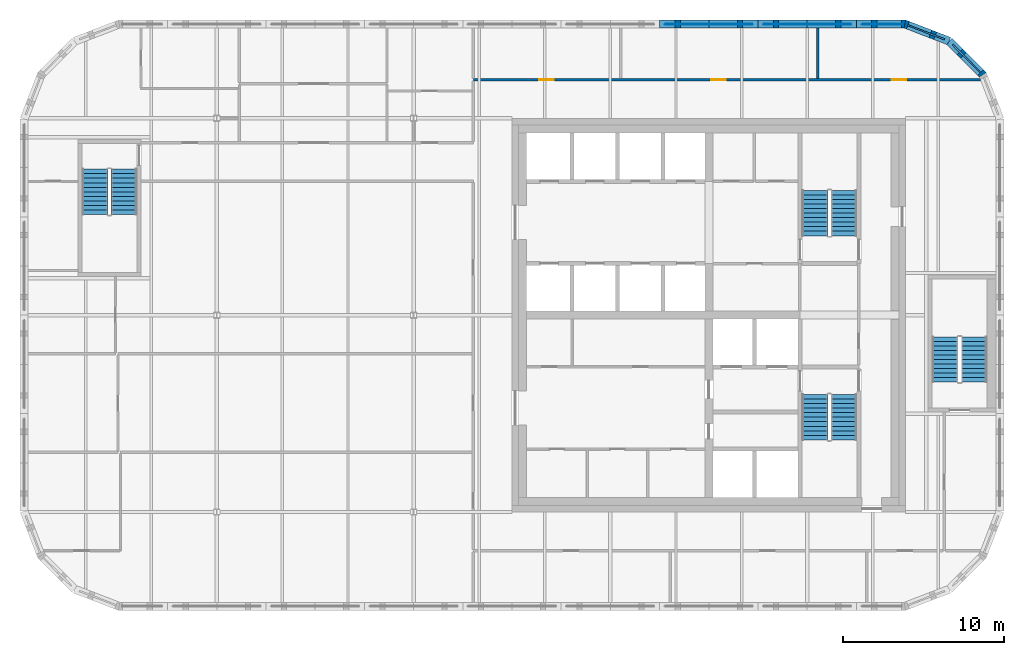
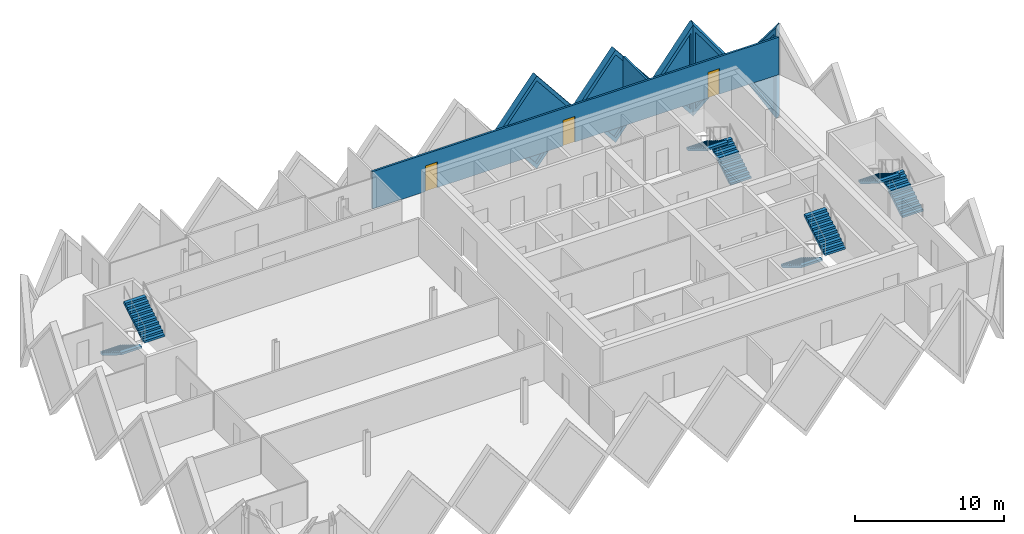
# One storey, part 9 of 10: 8 stair flights, 7 walls, 5 plates, 3 doors, 8 openings, 4 elements without a shape of their own.
"""IFC4 building model written with IfcOpenShell, lengths in metres."""

from ifc_helpers import new_model, si_unit, direction, frame, frame_2d, origin, place, context, subcontext, project, spatial, polyline, rectangle, outline, extrude, faceted_brep, source, transform, mapped, material, layer, layer_set, type_object, element, fill, aggregate, save


model = new_model("IFC4")

# Units and contexts
model_context = context("Model", 3, precision=1e-05, world=origin(), true_north=direction((0.0, 1.0)))
body_context = subcontext(model_context, "Body", "Model", "MODEL_VIEW")
ifc_project = project(units=[si_unit("LENGTHUNIT", "METRE"), si_unit("AREAUNIT", "SQUARE_METRE"), si_unit("VOLUMEUNIT", "CUBIC_METRE"), si_unit("PLANEANGLEUNIT", "RADIAN"), si_unit("MASSUNIT", "GRAM", prefix="KILO")], contexts=[model_context])

# Site, building, storey
site_placement = place(None, origin())
site = spatial("IfcSite", under=ifc_project, at=site_placement, CompositionType="ELEMENT")
building_placement = place(site_placement, origin())
building = spatial("IfcBuilding", under=site, at=building_placement, Name="Tessera Gate Towers", CompositionType="ELEMENT")
storey_placement = place(building_placement, frame((0.0, 0.0, 244.5)))
storey = spatial("IfcBuildingStorey", under=building, at=storey_placement, Name="L61", CompositionType="ELEMENT", Elevation=244.5)

# Wall, openings, doors
ifc_material_1 = material(Name="Gypsum board on steel studs, mineral wool", Category="steel")
ifc_layer_1 = layer(ifc_material_1, 0.14990234375)
ifc_layer_set_1 = layer_set([ifc_layer_1], Name="CORRIDOR WALL 150")
wall_type_1 = type_object("IfcWallType", Name="CORRIDOR WALL 150", PredefinedType="PARTITIONING", material=ifc_layer_set_1)
wall_1_placement = place(storey_placement, frame((28.10009765625, 51.199951171875, 0.0), z_axis=(0.0, 0.0, 1.0), x_axis=(1.0, 0.0, 0.0)))
wall_1 = element("IfcWall", 1, at=wall_1_placement, inside=storey, type_object=wall_type_1, Name="T1-L61-PW-033", PredefinedType="PARTITIONING", context=body_context, shape_type="SweptSolid", body=[
    extrude(rectangle(XDim=31.438232421875, YDim=0.14990234375, at=frame_2d((15.71923828125, 0.0))), origin(), (0.0, 0.0, 1.0), 3.06689453125),
])
shared_shape_1 = source(origin(), body_context, "Body", "SweptSolid", [
    extrude(rectangle(XDim=0.89990234375, YDim=2.10009765625, at=frame_2d((0.449951171875, 1.050048828125))), frame((0.0, 0.0849609375, 0.0), z_axis=(0.0, -1.0, 0.0), x_axis=(1.0, 0.0, 0.0)), (0.0, 0.0, 1.0), 0.169921875),
])
opening_1_placement = place(wall_1_placement, frame((4.10009765625, 0.0, 0.0)))
opening_1 = element("IfcOpeningElement", 2, at=opening_1_placement, cuts=wall_1, Name="Opening D890FD60-A21-07", PredefinedType="OPENING", context=body_context, shape_type="MappedRepresentation", body=[
    mapped(shared_shape_1, transform((0.0, 0.0, 0.0), scale=1.0)),
])
opening_2_placement = place(wall_1_placement, frame((25.950927734375, 0.0, 0.0)))
opening_2 = element("IfcOpeningElement", 3, at=opening_2_placement, cuts=wall_1, Name="Opening D890FD60-A21-08", PredefinedType="OPENING", context=body_context, shape_type="MappedRepresentation", body=[
    mapped(shared_shape_1, transform((0.0, 0.0, 0.0), scale=1.0)),
])
opening_3_placement = place(wall_1_placement, frame((14.75, 0.0, 0.0)))
opening_3 = element("IfcOpeningElement", 4, at=opening_3_placement, cuts=wall_1, Name="Opening D890FD60-A21-11", PredefinedType="OPENING", context=body_context, shape_type="MappedRepresentation", body=[
    mapped(shared_shape_1, transform((0.0, 0.0, 0.0), scale=1.0)),
])
ifc_material_2 = material(Name="Timber door leaf in steel frame", Category="steel")
door_type = type_object("IfcDoorType", Name="CORRIDOR DOOR 900 FD60", OperationType="NOTDEFINED", PredefinedType="DOOR", material=ifc_material_2)
shared_shape_2 = source(origin(), body_context, "Body", "SweptSolid", [
    extrude(rectangle(XDim=0.89990234375, YDim=2.10009765625, at=frame_2d((0.449951171875, 1.050048828125))), frame((0.0, 0.02490234375, 0.0), z_axis=(0.0, -1.0, 0.0), x_axis=(1.0, 0.0, 0.0)), (0.0, 0.0, 1.0), 0.050048828125),
])
door_1_placement = place(opening_1_placement, origin())
door_1 = element("IfcDoor", 5, at=door_1_placement, inside=storey, type_object=door_type, Name="T1-L61-PD-011", OperationType="SINGLE_SWING_LEFT", OverallHeight=2.10009765625, OverallWidth=0.89990234375, PredefinedType="DOOR", context=body_context, shape_type="MappedRepresentation", body=[
    mapped(shared_shape_2, transform((0.0, 0.0, 0.0), scale=1.0)),
])
fill(opening_1, door_1)
door_2_placement = place(opening_2_placement, origin())
door_2 = element("IfcDoor", 6, at=door_2_placement, inside=storey, type_object=door_type, Name="T1-L61-PD-015", OperationType="SINGLE_SWING_LEFT", OverallHeight=2.10009765625, OverallWidth=0.89990234375, PredefinedType="DOOR", context=body_context, shape_type="MappedRepresentation", body=[
    mapped(shared_shape_2, transform((0.0, 0.0, 0.0), scale=1.0)),
])
fill(opening_2, door_2)
door_3_placement = place(opening_3_placement, origin())
door_3 = element("IfcDoor", 7, at=door_3_placement, inside=storey, type_object=door_type, Name="T1-L61-PD-019", OperationType="SINGLE_SWING_LEFT", OverallHeight=2.10009765625, OverallWidth=0.89990234375, PredefinedType="DOOR", context=body_context, shape_type="MappedRepresentation", body=[
    mapped(shared_shape_2, transform((0.0, 0.0, 0.0), scale=1.0)),
])
fill(opening_3, door_3)

# Wall
ifc_material_3 = material(Name="Gypsum board on steel studs, mineral wool", Category="steel")
ifc_layer_2 = layer(ifc_material_3, 0.14990234375)
ifc_layer_set_2 = layer_set([ifc_layer_2], Name="TENANCY WALL 150")
wall_type_2 = type_object("IfcWallType", Name="TENANCY WALL 150", PredefinedType="PARTITIONING", material=ifc_layer_set_2)
wall_2_placement = place(storey_placement, frame((49.449951171875, 51.27587890625, 0.0), z_axis=(0.0, 0.0, 1.0), x_axis=(0.0, 1.0, 0.0)))
element("IfcWall", 8, at=wall_2_placement, inside=storey, type_object=wall_type_2, Name="T1-L61-PW-036", PredefinedType="PARTITIONING", context=body_context, shape_type="SweptSolid", body=[
    extrude(rectangle(XDim=3.1240234375, YDim=0.14990234375, at=frame_2d((1.56201171875, 0.0))), origin(), (0.0, 0.0, 1.0), 3.06689453125),
])

# Wall, opening, plate
ifc_material_4 = material(Name="Precast concrete C60/75 white", Category="concrete")
ifc_layer_3 = layer(ifc_material_4, 0.5)
ifc_layer_set_3 = layer_set([ifc_layer_3], Name="TS1 tessera")
wall_type_3 = type_object("IfcWallType", Name="TS1 tessera", PredefinedType="SOLIDWALL", material=ifc_layer_set_3)
shared_shape_3 = source(origin(), body_context, "Body", "SweptSolid", [
    extrude(outline(polyline([(3.050048828125, 0.0), (6.10009765625, 3.800048828125), (3.050048828125, 7.60009765625), (0.0, 3.800048828125), (3.050048828125, 0.0)])), frame((0.0, 0.25, 0.0), z_axis=(0.0, -1.0, 0.0), x_axis=(1.0, 0.0, 0.0)), (0.0, 0.0, 1.0), 0.5),
])
wall_3_placement = place(storey_placement, frame((51.85009765625, 54.64990234375, -3.800048828125), z_axis=(0.0, 0.0, 1.0), x_axis=(-1.0, 0.0, 0.0)))
wall_3 = element("IfcWall", 9, at=wall_3_placement, inside=storey, type_object=wall_type_3, Name="Precast tessera T1 TS1-1068", PredefinedType="SOLIDWALL", context=body_context, shape_type="MappedRepresentation", body=[
    mapped(shared_shape_3, transform((0.0, 0.0, 0.0), scale=1.0)),
])
shared_shape_4 = source(origin(), body_context, "Body", "SweptSolid", [
    extrude(outline(polyline([(3.050048828125, 0.3994140625), (5.779541015625, 3.800048828125), (3.050048828125, 7.20068359375), (0.320556640625, 3.800048828125), (3.050048828125, 0.3994140625)])), frame((0.0, 0.260009765625, 0.0), z_axis=(0.0, -1.0, 0.0), x_axis=(1.0, 0.0, 0.0)), (0.0, 0.0, 1.0), 0.52001953125),
])
opening_4_placement = place(wall_3_placement, origin())
opening_4 = element("IfcOpeningElement", 10, at=opening_4_placement, cuts=wall_3, Name="Opening T1-PL2-2178", PredefinedType="OPENING", context=body_context, shape_type="MappedRepresentation", body=[
    mapped(shared_shape_4, transform((0.0, 0.0, 0.0), scale=1.0)),
])
ifc_material_5 = material(Name="Low-e laminated glass", Category="glass")
ifc_layer_4 = layer(ifc_material_5, 0.06005859375)
ifc_layer_set_4 = layer_set([ifc_layer_4], Name="PL2 rhombic pane")
plate_type = type_object("IfcPlateType", Name="PL2 rhombic pane", PredefinedType="SHEET", material=ifc_layer_set_4)
shared_shape_5 = source(origin(), body_context, "Body", "SweptSolid", [
    extrude(outline(polyline([(3.050048828125, 0.3994140625), (5.779541015625, 3.800048828125), (3.050048828125, 7.20068359375), (0.320556640625, 3.800048828125), (3.050048828125, 0.3994140625)])), frame((0.0, 0.030029296875, 0.0), z_axis=(0.0, -1.0, 0.0), x_axis=(1.0, 0.0, 0.0)), (0.0, 0.0, 1.0), 0.06005859375),
])
plate_1_placement = place(opening_4_placement, origin())
plate_1 = element("IfcPlate", 11, at=plate_1_placement, inside=storey, type_object=plate_type, Name="Glass pane T1 PL2-2178", PredefinedType="SHEET", context=body_context, shape_type="MappedRepresentation", body=[
    mapped(shared_shape_5, transform((0.0, 0.0, 0.0), scale=1.0)),
])
fill(opening_4, plate_1)

wall_4_placement = place(storey_placement, frame((45.75, 54.64990234375, -3.800048828125), z_axis=(0.0, 0.0, 1.0), x_axis=(-1.0, 0.0, 0.0)))
wall_4 = element("IfcWall", 12, at=wall_4_placement, inside=storey, type_object=wall_type_3, Name="Precast tessera T1 TS1-1069", PredefinedType="SOLIDWALL", context=body_context, shape_type="MappedRepresentation", body=[
    mapped(shared_shape_3, transform((0.0, 0.0, 0.0), scale=1.0)),
])
opening_5_placement = place(wall_4_placement, origin())
opening_5 = element("IfcOpeningElement", 13, at=opening_5_placement, cuts=wall_4, Name="Opening T1-PL2-2179", PredefinedType="OPENING", context=body_context, shape_type="MappedRepresentation", body=[
    mapped(shared_shape_4, transform((0.0, 0.0, 0.0), scale=1.0)),
])
plate_2_placement = place(opening_5_placement, origin())
plate_2 = element("IfcPlate", 14, at=plate_2_placement, inside=storey, type_object=plate_type, Name="Glass pane T1 PL2-2179", PredefinedType="SHEET", context=body_context, shape_type="MappedRepresentation", body=[
    mapped(shared_shape_5, transform((0.0, 0.0, 0.0), scale=1.0)),
])
fill(opening_5, plate_2)

ifc_material_6 = material(Name="Precast concrete C60/75 white", Category="concrete")
ifc_layer_5 = layer(ifc_material_6, 0.5)
ifc_layer_set_5 = layer_set([ifc_layer_5], Name="TS3 corner tessera")
wall_type_4 = type_object("IfcWallType", Name="TS3 corner tessera", PredefinedType="SOLIDWALL", material=ifc_layer_set_5)
shared_shape_6 = source(origin(), body_context, "Body", "Brep", [
    faceted_brep([(2.950439453125, -0.25, 0.0), (2.9970703125, -0.25, 0.05908203125), (2.9970703125, -0.25, 7.541015625), (2.950439453125, -0.25, 7.60009765625), (0.0, -0.25, 3.800048828125), (0.052978515625, 0.25, 3.8681640625), (2.904052734375, 0.25, 7.540283203125), (2.904052734375, 0.25, 0.059814453125), (0.052978515625, 0.25, 3.73193359375), (2.950439453125, 0.00048828125, 0.0), (2.950439453125, 0.00048828125, 7.60009765625), (0.0, 0.0, 3.800048828125)], [[[0, 1, 2, 3, 4]], [[5, 6, 7, 8]], [[1, 0, 9]], [[10, 3, 2]], [[6, 5, 11, 4, 3, 10]], [[8, 7, 9, 0, 4, 11]], [[8, 11, 5]], [[1, 9, 7, 6, 10, 2]]]),
])
wall_5_placement = place(storey_placement, frame((57.606201171875, 53.588134765625, -3.800048828125), z_axis=(0.0, 0.0, 1.0), x_axis=(-0.932990326376, 0.359901446078, 0.0)))
wall_5 = element("IfcWall", 15, at=wall_5_placement, inside=storey, type_object=wall_type_4, Name="Precast corner tessera T1 TS3-1409", PredefinedType="SOLIDWALL", context=body_context, shape_type="MappedRepresentation", body=[
    mapped(shared_shape_6, transform((0.0, 0.0, 0.0), scale=1.0)),
])
shared_shape_7 = source(origin(), body_context, "Body", "SweptSolid", [
    extrude(outline(polyline([(2.75048828125, 6.934814453125), (0.31640625, 3.800048828125), (2.75048828125, 0.665283203125), (2.75048828125, 6.934814453125)])), frame((0.0, 0.260009765625, 0.0), z_axis=(0.0, -1.0, 0.0), x_axis=(1.0, 0.0, 0.0)), (0.0, 0.0, 1.0), 0.52001953125),
])
opening_6_placement = place(wall_5_placement, origin())
opening_6 = element("IfcOpeningElement", 16, at=opening_6_placement, cuts=wall_5, Name="Opening T1-PL2-2176", PredefinedType="OPENING", context=body_context, shape_type="MappedRepresentation", body=[
    mapped(shared_shape_7, transform((0.0, 0.0, 0.0), scale=1.0)),
])
shared_shape_8 = source(origin(), body_context, "Body", "SweptSolid", [
    extrude(outline(polyline([(2.75048828125, 6.934814453125), (0.31640625, 3.800048828125), (2.75048828125, 0.665283203125), (2.75048828125, 6.934814453125)])), frame((0.0, 0.030029296875, 0.0), z_axis=(0.0, -1.0, 0.0), x_axis=(1.0, 0.0, 0.0)), (0.0, 0.0, 1.0), 0.06005859375),
])
plate_3_placement = place(opening_6_placement, origin())
plate_3 = element("IfcPlate", 17, at=plate_3_placement, inside=storey, type_object=plate_type, Name="Glass pane T1 PL2-2176", PredefinedType="SHEET", context=body_context, shape_type="MappedRepresentation", body=[
    mapped(shared_shape_8, transform((0.0, 0.0, 0.0), scale=1.0)),
])
fill(opening_6, plate_3)

shared_shape_9 = source(origin(), body_context, "Body", "Brep", [
    faceted_brep([(0.046630859375, -0.25, 0.0), (3.050048828125, -0.25, 3.800048828125), (0.046630859375, -0.25, 7.60009765625), (0.0, -0.25, 7.5400390625), (0.0, -0.25, 0.06005859375), (0.09326171875, 0.25, 7.541259765625), (3.050048828125, 0.25, 3.800048828125), (0.09326171875, 0.25, 0.058837890625), (0.046630859375, 0.0, 0.0), (0.046630859375, 0.0, 7.60009765625)], [[[0, 1, 2, 3, 4]], [[5, 6, 7]], [[7, 6, 1, 0, 8]], [[6, 5, 9, 2, 1]], [[3, 2, 9]], [[8, 0, 4]], [[7, 8, 4, 3, 9, 5]]]),
])
wall_6_placement = place(storey_placement, frame((54.900146484375, 54.64990234375, -3.800048828125), z_axis=(0.0, 0.0, 1.0), x_axis=(-1.0, 0.0, 0.0)))
wall_6 = element("IfcWall", 18, at=wall_6_placement, inside=storey, type_object=wall_type_4, Name="Precast corner tessera T1 TS3-1410", PredefinedType="SOLIDWALL", context=body_context, shape_type="MappedRepresentation", body=[
    mapped(shared_shape_9, transform((0.0, 0.0, 0.0), scale=1.0)),
])
shared_shape_10 = source(origin(), body_context, "Body", "SweptSolid", [
    extrude(outline(polyline([(0.24658203125, 0.65625), (2.7314453125, 3.800048828125), (0.24658203125, 6.94384765625), (0.24658203125, 0.65625)])), frame((0.0, 0.260009765625, 0.0), z_axis=(0.0, -1.0, 0.0), x_axis=(1.0, 0.0, 0.0)), (0.0, 0.0, 1.0), 0.52001953125),
])
opening_7_placement = place(wall_6_placement, origin())
opening_7 = element("IfcOpeningElement", 19, at=opening_7_placement, cuts=wall_6, Name="Opening T1-PL2-2177", PredefinedType="OPENING", context=body_context, shape_type="MappedRepresentation", body=[
    mapped(shared_shape_10, transform((0.0, 0.0, 0.0), scale=1.0)),
])
shared_shape_11 = source(origin(), body_context, "Body", "SweptSolid", [
    extrude(outline(polyline([(0.24658203125, 0.65625), (2.7314453125, 3.800048828125), (0.24658203125, 6.94384765625), (0.24658203125, 0.65625)])), frame((0.0, 0.030029296875, 0.0), z_axis=(0.0, -1.0, 0.0), x_axis=(1.0, 0.0, 0.0)), (0.0, 0.0, 1.0), 0.06005859375),
])
plate_4_placement = place(opening_7_placement, origin())
plate_4 = element("IfcPlate", 20, at=plate_4_placement, inside=storey, type_object=plate_type, Name="Glass pane T1 PL2-2177", PredefinedType="SHEET", context=body_context, shape_type="MappedRepresentation", body=[
    mapped(shared_shape_11, transform((0.0, 0.0, 0.0), scale=1.0)),
])
fill(opening_7, plate_4)

shared_shape_12 = source(origin(), body_context, "Body", "Brep", [
    faceted_brep([(0.052978515625, -0.25, 0.0), (2.9970703125, -0.25, 3.800048828125), (0.052978515625, -0.25, 7.60009765625), (0.0, -0.25, 7.531982421875), (0.0, -0.25, 0.068115234375), (0.10595703125, 0.25, 7.53173828125), (2.944091796875, 0.25, 3.8681640625), (2.944091796875, 0.25, 3.73193359375), (0.10595703125, 0.25, 0.068359375), (2.9970703125, 0.000244140625, 3.800048828125), (0.052978515625, 0.0, 0.0), (0.052978515625, 0.0, 7.60009765625)], [[[0, 1, 2, 3, 4]], [[5, 6, 7, 8]], [[8, 7, 9, 1, 0, 10]], [[6, 5, 11, 2, 1, 9]], [[3, 2, 11]], [[10, 0, 4]], [[8, 10, 4, 3, 11, 5]], [[9, 7, 6]]]),
])
wall_7_placement = place(storey_placement, frame((59.7255859375, 51.46875, -3.800048828125), z_axis=(0.0, 0.0, 1.0), x_axis=(-0.707106781187, 0.707106781187, 0.0)))
wall_7 = element("IfcWall", 21, at=wall_7_placement, inside=storey, type_object=wall_type_4, Name="Precast corner tessera T1 TS3-1408", PredefinedType="SOLIDWALL", context=body_context, shape_type="MappedRepresentation", body=[
    mapped(shared_shape_12, transform((0.0, 0.0, 0.0), scale=1.0)),
])
shared_shape_13 = source(origin(), body_context, "Body", "SweptSolid", [
    extrude(outline(polyline([(0.2529296875, 0.666259765625), (2.680908203125, 3.800048828125), (0.2529296875, 6.933837890625), (0.2529296875, 0.666259765625)])), frame((0.0, 0.260009765625, 0.0), z_axis=(0.0, -1.0, 0.0), x_axis=(1.0, 0.0, 0.0)), (0.0, 0.0, 1.0), 0.52001953125),
])
opening_8_placement = place(wall_7_placement, origin())
opening_8 = element("IfcOpeningElement", 22, at=opening_8_placement, cuts=wall_7, Name="Opening T1-PL2-2175", PredefinedType="OPENING", context=body_context, shape_type="MappedRepresentation", body=[
    mapped(shared_shape_13, transform((0.0, 0.0, 0.0), scale=1.0)),
])
shared_shape_14 = source(origin(), body_context, "Body", "SweptSolid", [
    extrude(outline(polyline([(0.2529296875, 0.666259765625), (2.680908203125, 3.800048828125), (0.2529296875, 6.933837890625), (0.2529296875, 0.666259765625)])), frame((0.0, 0.030029296875, 0.0), z_axis=(0.0, -1.0, 0.0), x_axis=(1.0, 0.0, 0.0)), (0.0, 0.0, 1.0), 0.06005859375),
])
plate_5_placement = place(opening_8_placement, origin())
plate_5 = element("IfcPlate", 23, at=plate_5_placement, inside=storey, type_object=plate_type, Name="Glass pane T1 PL2-2175", PredefinedType="SHEET", context=body_context, shape_type="MappedRepresentation", body=[
    mapped(shared_shape_14, transform((0.0, 0.0, 0.0), scale=1.0)),
])
fill(opening_8, plate_5)

# Stair, stair flights
ifc_material_7 = material(Name="Concrete C40/50", Category="concrete")
stair_type_1 = type_object("IfcStairType", Name="EXIT STAIR ST1 1600", PredefinedType="HALF_TURN_STAIR", material=ifc_material_7)
stair_1_placement = place(storey_placement, origin())
stair_1 = element("IfcStair", 24, at=stair_1_placement, inside=storey, type_object=stair_type_1, Name="L61 Protected Exit Stair ST1", PredefinedType="HALF_TURN_STAIR")
ifc_material_8 = material(Name="Concrete C40/50", Category="concrete")
stair_flight_type_1 = type_object("IfcStairFlightType", Name="EXIT STAIR FLIGHT ST1 1600", PredefinedType="STRAIGHT", material=ifc_material_8)
stair_flight_1_placement = place(storey_placement, frame((49.27490234375, 31.675048828125, 0.0), z_axis=(0.0, 0.0, 1.0), x_axis=(0.0, -1.0, 0.0)))
stair_flight_1 = element("IfcStairFlight", 25, at=stair_flight_1_placement, type_object=stair_flight_type_1, Name="ST1 flight 1", NumberOfRisers=11, NumberOfTreads=10, PredefinedType="STRAIGHT", RiserHeight=0.172727273, TreadLength=0.28, context=body_context, shape_type="SweptSolid", body=[
    extrude(outline(polyline([(0.0, 0.0), (0.0, 0.172607421875), (0.280029296875, 0.172607421875), (0.280029296875, 0.345458984375), (0.56005859375, 0.345458984375), (0.56005859375, 0.51806640625), (0.840087890625, 0.51806640625), (0.840087890625, 0.69091796875), (1.1201171875, 0.69091796875), (1.1201171875, 0.863525390625), (1.39990234375, 0.863525390625), (1.39990234375, 1.036376953125), (1.679931640625, 1.036376953125), (1.679931640625, 1.208984375), (1.9599609375, 1.208984375), (1.9599609375, 1.3818359375), (2.239990234375, 1.3818359375), (2.239990234375, 1.554443359375), (2.52001953125, 1.554443359375), (2.52001953125, 1.727294921875), (2.800048828125, 1.727294921875), (2.800048828125, 1.89990234375), (2.800048828125, 1.551025390625), (0.285400390625, 0.0), (0.0, 0.0)])), frame((0.0, 0.800048828125, 0.0), z_axis=(0.0, -1.0, 0.0), x_axis=(1.0, 0.0, 0.0)), (0.0, 0.0, 1.0), 1.60009765625),
])
stair_flight_2_placement = place(storey_placement, frame((51.074951171875, 28.875, 1.89990234375), z_axis=(0.0, 0.0, 1.0), x_axis=(0.0, 1.0, 0.0)))
stair_flight_2 = element("IfcStairFlight", 26, at=stair_flight_2_placement, type_object=stair_flight_type_1, Name="ST1 flight 2", NumberOfRisers=11, NumberOfTreads=10, PredefinedType="STRAIGHT", RiserHeight=0.172727273, TreadLength=0.28, context=body_context, shape_type="SweptSolid", body=[
    extrude(outline(polyline([(0.0, 0.0), (0.0, 0.172607421875), (0.280029296875, 0.172607421875), (0.280029296875, 0.345458984375), (0.56005859375, 0.345458984375), (0.56005859375, 0.51806640625), (0.840087890625, 0.51806640625), (0.840087890625, 0.69091796875), (1.1201171875, 0.69091796875), (1.1201171875, 0.863525390625), (1.39990234375, 0.863525390625), (1.39990234375, 1.036376953125), (1.679931640625, 1.036376953125), (1.679931640625, 1.208984375), (1.9599609375, 1.208984375), (1.9599609375, 1.3818359375), (2.239990234375, 1.3818359375), (2.239990234375, 1.554443359375), (2.52001953125, 1.554443359375), (2.52001953125, 1.727294921875), (2.800048828125, 1.727294921875), (2.800048828125, 1.89990234375), (2.800048828125, 1.551025390625), (0.285400390625, 0.0), (0.0, 0.0)])), frame((0.0, 0.800048828125, 0.0), z_axis=(0.0, -1.0, 0.0), x_axis=(1.0, 0.0, 0.0)), (0.0, 0.0, 1.0), 1.60009765625),
])
aggregate(stair_1, [stair_flight_1, stair_flight_2])

ifc_material_9 = material(Name="Concrete C40/50", Category="concrete")
stair_type_2 = type_object("IfcStairType", Name="EXIT STAIR ST2 1600", PredefinedType="HALF_TURN_STAIR", material=ifc_material_9)
stair_2_placement = place(storey_placement, origin())
stair_2 = element("IfcStair", 27, at=stair_2_placement, inside=storey, type_object=stair_type_2, Name="L61 Protected Exit Stair ST2", PredefinedType="HALF_TURN_STAIR")
ifc_material_10 = material(Name="Concrete C40/50", Category="concrete")
stair_flight_type_2 = type_object("IfcStairFlightType", Name="EXIT STAIR FLIGHT ST2 1600", PredefinedType="STRAIGHT", material=ifc_material_10)
stair_flight_3_placement = place(storey_placement, frame((51.074951171875, 41.52490234375, 0.0), z_axis=(0.0, 0.0, 1.0), x_axis=(0.0, 1.0, 0.0)))
stair_flight_3 = element("IfcStairFlight", 28, at=stair_flight_3_placement, type_object=stair_flight_type_2, Name="ST2 flight 1", NumberOfRisers=11, NumberOfTreads=10, PredefinedType="STRAIGHT", RiserHeight=0.172727273, TreadLength=0.28, context=body_context, shape_type="SweptSolid", body=[
    extrude(outline(polyline([(0.0, 0.0), (0.0, 0.172607421875), (0.280029296875, 0.172607421875), (0.280029296875, 0.345458984375), (0.56005859375, 0.345458984375), (0.56005859375, 0.51806640625), (0.840087890625, 0.51806640625), (0.840087890625, 0.69091796875), (1.1201171875, 0.69091796875), (1.1201171875, 0.863525390625), (1.39990234375, 0.863525390625), (1.39990234375, 1.036376953125), (1.679931640625, 1.036376953125), (1.679931640625, 1.208984375), (1.9599609375, 1.208984375), (1.9599609375, 1.3818359375), (2.239990234375, 1.3818359375), (2.239990234375, 1.554443359375), (2.52001953125, 1.554443359375), (2.52001953125, 1.727294921875), (2.800048828125, 1.727294921875), (2.800048828125, 1.89990234375), (2.800048828125, 1.551025390625), (0.285400390625, 0.0), (0.0, 0.0)])), frame((0.0, 0.800048828125, 0.0), z_axis=(0.0, -1.0, 0.0), x_axis=(1.0, 0.0, 0.0)), (0.0, 0.0, 1.0), 1.60009765625),
])
stair_flight_4_placement = place(storey_placement, frame((49.27490234375, 44.324951171875, 1.89990234375), z_axis=(0.0, 0.0, 1.0), x_axis=(0.0, -1.0, 0.0)))
stair_flight_4 = element("IfcStairFlight", 29, at=stair_flight_4_placement, type_object=stair_flight_type_2, Name="ST2 flight 2", NumberOfRisers=11, NumberOfTreads=10, PredefinedType="STRAIGHT", RiserHeight=0.172727273, TreadLength=0.28, context=body_context, shape_type="SweptSolid", body=[
    extrude(outline(polyline([(0.0, 0.0), (0.0, 0.172607421875), (0.280029296875, 0.172607421875), (0.280029296875, 0.345458984375), (0.56005859375, 0.345458984375), (0.56005859375, 0.51806640625), (0.840087890625, 0.51806640625), (0.840087890625, 0.69091796875), (1.1201171875, 0.69091796875), (1.1201171875, 0.863525390625), (1.39990234375, 0.863525390625), (1.39990234375, 1.036376953125), (1.679931640625, 1.036376953125), (1.679931640625, 1.208984375), (1.9599609375, 1.208984375), (1.9599609375, 1.3818359375), (2.239990234375, 1.3818359375), (2.239990234375, 1.554443359375), (2.52001953125, 1.554443359375), (2.52001953125, 1.727294921875), (2.800048828125, 1.727294921875), (2.800048828125, 1.89990234375), (2.800048828125, 1.551025390625), (0.285400390625, 0.0), (0.0, 0.0)])), frame((0.0, 0.800048828125, 0.0), z_axis=(0.0, -1.0, 0.0), x_axis=(1.0, 0.0, 0.0)), (0.0, 0.0, 1.0), 1.60009765625),
])
aggregate(stair_2, [stair_flight_3, stair_flight_4])

ifc_material_11 = material(Name="Concrete C40/50", Category="concrete")
stair_type_3 = type_object("IfcStairType", Name="EXIT STAIR ST3 1600", PredefinedType="HALF_TURN_STAIR", material=ifc_material_11)
stair_3_placement = place(storey_placement, origin())
stair_3 = element("IfcStair", 30, at=stair_3_placement, inside=storey, type_object=stair_type_3, Name="L61 West Exit Stair ST3", PredefinedType="HALF_TURN_STAIR")
ifc_material_12 = material(Name="Concrete C40/50", Category="concrete")
stair_flight_type_3 = type_object("IfcStairFlightType", Name="EXIT STAIR FLIGHT ST3 1600", PredefinedType="STRAIGHT", material=ifc_material_12)
stair_flight_5_placement = place(storey_placement, frame((4.64990234375, 45.64990234375, 0.0), z_axis=(0.0, 0.0, 1.0), x_axis=(0.0, -1.0, 0.0)))
stair_flight_5 = element("IfcStairFlight", 31, at=stair_flight_5_placement, type_object=stair_flight_type_3, Name="ST3 flight 1", NumberOfRisers=11, NumberOfTreads=10, PredefinedType="STRAIGHT", RiserHeight=0.172727273, TreadLength=0.28, context=body_context, shape_type="SweptSolid", body=[
    extrude(outline(polyline([(0.0, 0.0), (0.0, 0.172607421875), (0.280029296875, 0.172607421875), (0.280029296875, 0.345458984375), (0.56005859375, 0.345458984375), (0.56005859375, 0.51806640625), (0.840087890625, 0.51806640625), (0.840087890625, 0.69091796875), (1.1201171875, 0.69091796875), (1.1201171875, 0.863525390625), (1.39990234375, 0.863525390625), (1.39990234375, 1.036376953125), (1.679931640625, 1.036376953125), (1.679931640625, 1.208984375), (1.9599609375, 1.208984375), (1.9599609375, 1.3818359375), (2.239990234375, 1.3818359375), (2.239990234375, 1.554443359375), (2.52001953125, 1.554443359375), (2.52001953125, 1.727294921875), (2.800048828125, 1.727294921875), (2.800048828125, 1.89990234375), (2.800048828125, 1.551025390625), (0.285400390625, 0.0), (0.0, 0.0)])), frame((0.0, 0.800048828125, 0.0), z_axis=(0.0, -1.0, 0.0), x_axis=(1.0, 0.0, 0.0)), (0.0, 0.0, 1.0), 1.60009765625),
])
stair_flight_6_placement = place(storey_placement, frame((6.449951171875, 42.85009765625, 1.89990234375), z_axis=(0.0, 0.0, 1.0), x_axis=(0.0, 1.0, 0.0)))
stair_flight_6 = element("IfcStairFlight", 32, at=stair_flight_6_placement, type_object=stair_flight_type_3, Name="ST3 flight 2", NumberOfRisers=11, NumberOfTreads=10, PredefinedType="STRAIGHT", RiserHeight=0.172727273, TreadLength=0.28, context=body_context, shape_type="SweptSolid", body=[
    extrude(outline(polyline([(0.0, 0.0), (0.0, 0.172607421875), (0.280029296875, 0.172607421875), (0.280029296875, 0.345458984375), (0.56005859375, 0.345458984375), (0.56005859375, 0.51806640625), (0.840087890625, 0.51806640625), (0.840087890625, 0.69091796875), (1.1201171875, 0.69091796875), (1.1201171875, 0.863525390625), (1.39990234375, 0.863525390625), (1.39990234375, 1.036376953125), (1.679931640625, 1.036376953125), (1.679931640625, 1.208984375), (1.9599609375, 1.208984375), (1.9599609375, 1.3818359375), (2.239990234375, 1.3818359375), (2.239990234375, 1.554443359375), (2.52001953125, 1.554443359375), (2.52001953125, 1.727294921875), (2.800048828125, 1.727294921875), (2.800048828125, 1.89990234375), (2.800048828125, 1.551025390625), (0.285400390625, 0.0), (0.0, 0.0)])), frame((0.0, 0.800048828125, 0.0), z_axis=(0.0, -1.0, 0.0), x_axis=(1.0, 0.0, 0.0)), (0.0, 0.0, 1.0), 1.60009765625),
])
aggregate(stair_3, [stair_flight_5, stair_flight_6])

ifc_material_13 = material(Name="Concrete C40/50", Category="concrete")
stair_type_4 = type_object("IfcStairType", Name="EXIT STAIR ST5 1600", PredefinedType="HALF_TURN_STAIR", material=ifc_material_13)
stair_4_placement = place(storey_placement, origin())
stair_4 = element("IfcStair", 33, at=stair_4_placement, inside=storey, type_object=stair_type_4, Name="L61 East Exit Stair ST5", PredefinedType="HALF_TURN_STAIR")
ifc_material_14 = material(Name="Concrete C40/50", Category="concrete")
stair_flight_type_4 = type_object("IfcStairFlightType", Name="EXIT STAIR FLIGHT ST5 1600", PredefinedType="STRAIGHT", material=ifc_material_14)
stair_flight_7_placement = place(storey_placement, frame((59.14990234375, 32.449951171875, 0.0), z_axis=(0.0, 0.0, 1.0), x_axis=(0.0, 1.0, 0.0)))
stair_flight_7 = element("IfcStairFlight", 34, at=stair_flight_7_placement, type_object=stair_flight_type_4, Name="ST5 flight 1", NumberOfRisers=11, NumberOfTreads=10, PredefinedType="STRAIGHT", RiserHeight=0.172727273, TreadLength=0.28, context=body_context, shape_type="SweptSolid", body=[
    extrude(outline(polyline([(0.0, 0.0), (0.0, 0.172607421875), (0.280029296875, 0.172607421875), (0.280029296875, 0.345458984375), (0.56005859375, 0.345458984375), (0.56005859375, 0.51806640625), (0.840087890625, 0.51806640625), (0.840087890625, 0.69091796875), (1.1201171875, 0.69091796875), (1.1201171875, 0.863525390625), (1.39990234375, 0.863525390625), (1.39990234375, 1.036376953125), (1.679931640625, 1.036376953125), (1.679931640625, 1.208984375), (1.9599609375, 1.208984375), (1.9599609375, 1.3818359375), (2.239990234375, 1.3818359375), (2.239990234375, 1.554443359375), (2.52001953125, 1.554443359375), (2.52001953125, 1.727294921875), (2.800048828125, 1.727294921875), (2.800048828125, 1.89990234375), (2.800048828125, 1.551025390625), (0.285400390625, 0.0), (0.0, 0.0)])), frame((0.0, 0.800048828125, 0.0), z_axis=(0.0, -1.0, 0.0), x_axis=(1.0, 0.0, 0.0)), (0.0, 0.0, 1.0), 1.60009765625),
])
stair_flight_8_placement = place(storey_placement, frame((57.35009765625, 35.25, 1.89990234375), z_axis=(0.0, 0.0, 1.0), x_axis=(0.0, -1.0, 0.0)))
stair_flight_8 = element("IfcStairFlight", 35, at=stair_flight_8_placement, type_object=stair_flight_type_4, Name="ST5 flight 2", NumberOfRisers=11, NumberOfTreads=10, PredefinedType="STRAIGHT", RiserHeight=0.172727273, TreadLength=0.28, context=body_context, shape_type="SweptSolid", body=[
    extrude(outline(polyline([(0.0, 0.0), (0.0, 0.172607421875), (0.280029296875, 0.172607421875), (0.280029296875, 0.345458984375), (0.56005859375, 0.345458984375), (0.56005859375, 0.51806640625), (0.840087890625, 0.51806640625), (0.840087890625, 0.69091796875), (1.1201171875, 0.69091796875), (1.1201171875, 0.863525390625), (1.39990234375, 0.863525390625), (1.39990234375, 1.036376953125), (1.679931640625, 1.036376953125), (1.679931640625, 1.208984375), (1.9599609375, 1.208984375), (1.9599609375, 1.3818359375), (2.239990234375, 1.3818359375), (2.239990234375, 1.554443359375), (2.52001953125, 1.554443359375), (2.52001953125, 1.727294921875), (2.800048828125, 1.727294921875), (2.800048828125, 1.89990234375), (2.800048828125, 1.551025390625), (0.285400390625, 0.0), (0.0, 0.0)])), frame((0.0, 0.800048828125, 0.0), z_axis=(0.0, -1.0, 0.0), x_axis=(1.0, 0.0, 0.0)), (0.0, 0.0, 1.0), 1.60009765625),
])
aggregate(stair_4, [stair_flight_7, stair_flight_8])

save(model, "model.ifc")
